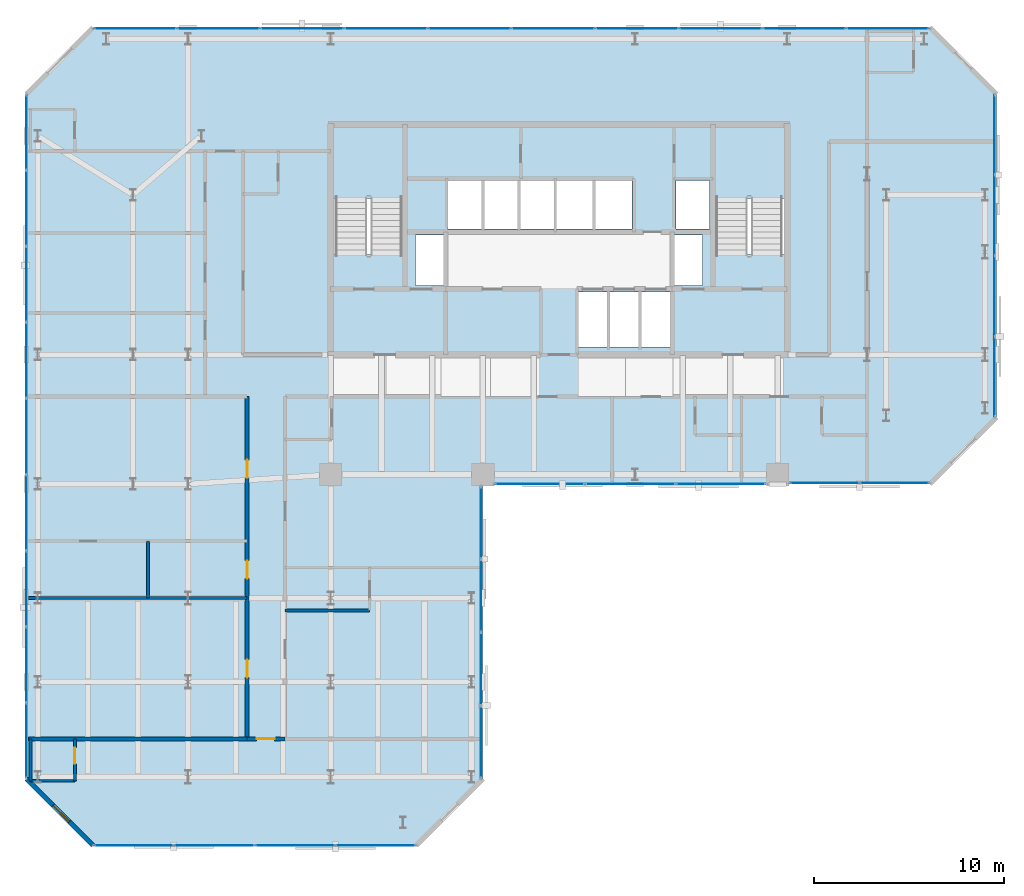
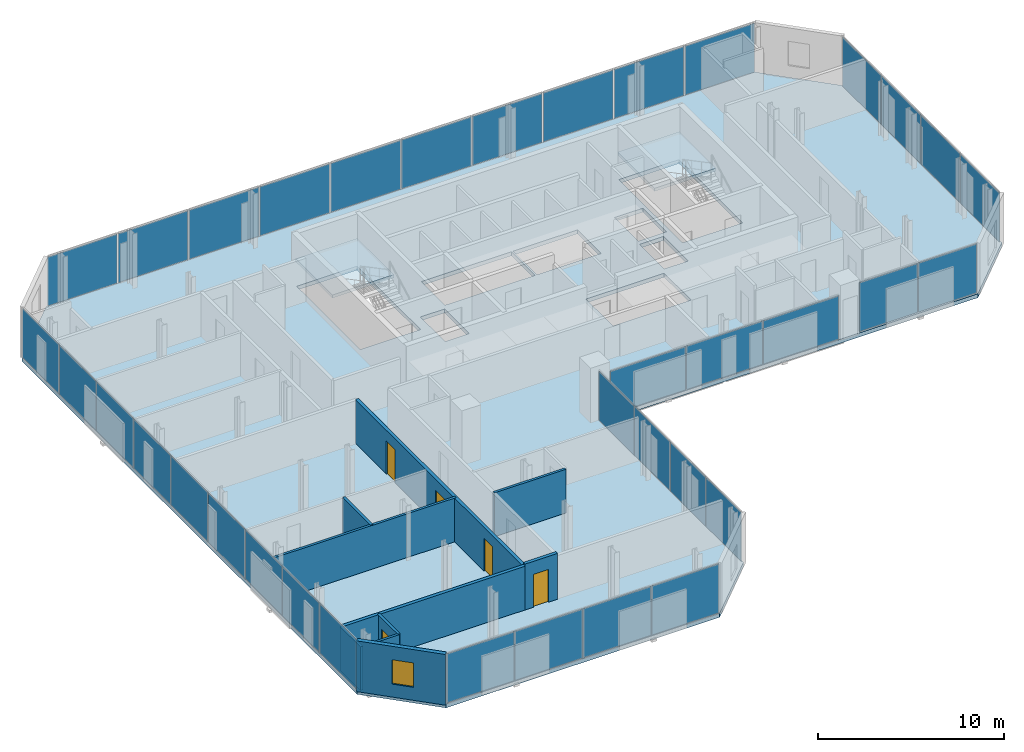
# One storey, part 27 of 33: 36 plates, 10 walls, 5 doors, 3 slabs, 1 window, 6 openings, 9 elements without a shape of their own.
"""IFC4 building model written with IfcOpenShell, lengths in metres."""

from ifc_helpers import new_model, si_unit, direction, frame, frame_2d, origin, origin_2d, place, context, subcontext, project, spatial, polyline, rectangle, outline, extrude, material, layer, layer_set, type_object, element, fill, aggregate, save


model = new_model("IFC4")

# Units and contexts
model_context = context("Model", 3, precision=1e-05, world=origin(), true_north=direction((0.0, 1.0)))
body_context = subcontext(model_context, "Body", "Model", "MODEL_VIEW")
ifc_project = project(units=[si_unit("LENGTHUNIT", "METRE"), si_unit("AREAUNIT", "SQUARE_METRE"), si_unit("VOLUMEUNIT", "CUBIC_METRE"), si_unit("PLANEANGLEUNIT", "RADIAN"), si_unit("MASSUNIT", "GRAM", prefix="KILO")], contexts=[model_context])

# Site, building, storey
site_placement = place(None, origin())
site = spatial("IfcSite", under=ifc_project, at=site_placement, CompositionType="ELEMENT")
building_placement = place(site_placement, origin())
building = spatial("IfcBuilding", under=site, at=building_placement, Name="Catumbela Crestline Tower", CompositionType="ELEMENT")
storey_placement = place(building_placement, frame((0.0, 0.0, 118.8)))
storey = spatial("IfcBuildingStorey", under=building, at=storey_placement, Name="L30", CompositionType="ELEMENT", Elevation=118.8)

# Curtain wall, plates
ifc_material_1 = material(Name="Aluminium alloy AW-6060-T66", Category="aluminium")
ifc_layer_1 = layer(ifc_material_1, 0.18, Name="Aluminium alloy AW-6060-T66")
ifc_layer_set_1 = layer_set([ifc_layer_1], Name="Aluminium alloy AW-6060-T66")
curtain_wall_type = type_object("IfcCurtainWallType", Name="CWU-Z2", PredefinedType="USERDEFINED", material=ifc_layer_set_1)
curtain_wall_1_placement = place(storey_placement, origin())
curtain_wall_1 = element("IfcCurtainWall", 1, at=curtain_wall_1_placement, inside=storey, type_object=curtain_wall_type, Name="L30 Unitised Curtain Wall CW-L30-E0S1", ObjectType="UNITISED", PredefinedType="USERDEFINED")
ifc_material_2 = material(Name="Low-E laminated solar-control double glazing", Category="glass")
ifc_layer_2 = layer(ifc_material_2, 0.036, Name="Low-E laminated solar-control double glazing")
ifc_layer_set_2 = layer_set([ifc_layer_2], Name="Low-E laminated solar-control double glazing")
plate_type = type_object("IfcPlateType", Name="PNL-GLZ-Z2", PredefinedType="CURTAIN_PANEL", material=ifc_layer_set_2)
plate_1_placement = place(storey_placement, frame((5.6412, 5.0, 0.06), z_axis=(0.0, 0.0, 1.0), x_axis=(1.0, 0.0, 0.0)))
plate_1 = element("IfcPlate", 2, at=plate_1_placement, type_object=plate_type, Name="CWU-Z2 panel 1.1", PredefinedType="CURTAIN_PANEL", context=body_context, shape_type="SweptSolid", body=[
    extrude(rectangle(XDim=4.1525, YDim=0.034, at=origin_2d()), origin(), (0.0, 0.0, 1.0), 3.21),
])
plate_2_placement = place(storey_placement, frame((9.875, 5.0, 0.06), z_axis=(0.0, 0.0, 1.0), x_axis=(1.0, 0.0, 0.0)))
plate_2 = element("IfcPlate", 3, at=plate_2_placement, type_object=plate_type, Name="CWU-Z2 panel 2.1", PredefinedType="CURTAIN_PANEL", context=body_context, shape_type="SweptSolid", body=[
    extrude(rectangle(XDim=4.185, YDim=0.034, at=origin_2d()), origin(), (0.0, 0.0, 1.0), 3.21),
])
plate_3_placement = place(storey_placement, frame((14.125, 5.0, 0.06), z_axis=(0.0, 0.0, 1.0), x_axis=(1.0, 0.0, 0.0)))
plate_3 = element("IfcPlate", 4, at=plate_3_placement, type_object=plate_type, Name="CWU-Z2 panel 3.1", PredefinedType="CURTAIN_PANEL", context=body_context, shape_type="SweptSolid", body=[
    extrude(rectangle(XDim=4.185, YDim=0.034, at=origin_2d()), origin(), (0.0, 0.0, 1.0), 3.21),
])
plate_4_placement = place(storey_placement, frame((18.3588, 5.0, 0.06), z_axis=(0.0, 0.0, 1.0), x_axis=(1.0, 0.0, 0.0)))
plate_4 = element("IfcPlate", 5, at=plate_4_placement, type_object=plate_type, Name="CWU-Z2 panel 4.1", PredefinedType="CURTAIN_PANEL", context=body_context, shape_type="SweptSolid", body=[
    extrude(rectangle(XDim=4.1525, YDim=0.034, at=origin_2d()), origin(), (0.0, 0.0, 1.0), 3.21),
])
aggregate(curtain_wall_1, [plate_1, plate_2, plate_3, plate_4])

curtain_wall_2_placement = place(storey_placement, origin())
curtain_wall_2 = element("IfcCurtainWall", 6, at=curtain_wall_2_placement, inside=storey, type_object=curtain_wall_type, Name="L30 Unitised Curtain Wall CW-L30-E2S1", ObjectType="UNITISED", PredefinedType="USERDEFINED")
plate_5_placement = place(storey_placement, frame((23.9, 10.4412, 0.06), z_axis=(0.0, 0.0, 1.0), x_axis=(0.0, 1.0, 0.0)))
plate_5 = element("IfcPlate", 7, at=plate_5_placement, type_object=plate_type, Name="CWU-Z2 panel 1.1", PredefinedType="CURTAIN_PANEL", context=body_context, shape_type="SweptSolid", body=[
    extrude(rectangle(XDim=3.7525, YDim=0.034, at=origin_2d()), origin(), (0.0, 0.0, 1.0), 3.21),
])
plate_6_placement = place(storey_placement, frame((23.9, 14.275, 0.06), z_axis=(0.0, 0.0, 1.0), x_axis=(0.0, 1.0, 0.0)))
plate_6 = element("IfcPlate", 8, at=plate_6_placement, type_object=plate_type, Name="CWU-Z2 panel 2.1", PredefinedType="CURTAIN_PANEL", context=body_context, shape_type="SweptSolid", body=[
    extrude(rectangle(XDim=3.785, YDim=0.034, at=origin_2d()), origin(), (0.0, 0.0, 1.0), 3.21),
])
plate_7_placement = place(storey_placement, frame((23.9, 18.125, 0.06), z_axis=(0.0, 0.0, 1.0), x_axis=(0.0, 1.0, 0.0)))
plate_7 = element("IfcPlate", 9, at=plate_7_placement, type_object=plate_type, Name="CWU-Z2 panel 3.1", PredefinedType="CURTAIN_PANEL", context=body_context, shape_type="SweptSolid", body=[
    extrude(rectangle(XDim=3.785, YDim=0.034, at=origin_2d()), origin(), (0.0, 0.0, 1.0), 3.21),
])
plate_8_placement = place(storey_placement, frame((23.9, 21.9587, 0.06), z_axis=(0.0, 0.0, 1.0), x_axis=(0.0, 1.0, 0.0)))
plate_8 = element("IfcPlate", 10, at=plate_8_placement, type_object=plate_type, Name="CWU-Z2 panel 4.1", PredefinedType="CURTAIN_PANEL", context=body_context, shape_type="SweptSolid", body=[
    extrude(rectangle(XDim=3.7525, YDim=0.034, at=origin_2d()), origin(), (0.0, 0.0, 1.0), 3.21),
])
aggregate(curtain_wall_2, [plate_5, plate_6, plate_7, plate_8])

curtain_wall_3_placement = place(storey_placement, origin())
curtain_wall_3 = element("IfcCurtainWall", 11, at=curtain_wall_3_placement, inside=storey, type_object=curtain_wall_type, Name="L30 Unitised Curtain Wall CW-L30-E3S1", ObjectType="UNITISED", PredefinedType="USERDEFINED")
plate_9_placement = place(storey_placement, frame((26.9996, 24.0, 0.06), z_axis=(0.0, 0.0, 1.0), x_axis=(1.0, 0.0, 0.0)))
plate_9 = element("IfcPlate", 12, at=plate_9_placement, type_object=plate_type, Name="CWU-Z2 panel 1.1", PredefinedType="CURTAIN_PANEL", context=body_context, shape_type="SweptSolid", body=[
    extrude(rectangle(XDim=4.6692, YDim=0.034, at=origin_2d()), origin(), (0.0, 0.0, 1.0), 2.84),
])
plate_10_placement = place(storey_placement, frame((31.75, 24.0, 0.06), z_axis=(0.0, 0.0, 1.0), x_axis=(1.0, 0.0, 0.0)))
plate_10 = element("IfcPlate", 13, at=plate_10_placement, type_object=plate_type, Name="CWU-Z2 panel 2.1", PredefinedType="CURTAIN_PANEL", context=body_context, shape_type="SweptSolid", body=[
    extrude(rectangle(XDim=4.7017, YDim=0.034, at=origin_2d()), origin(), (0.0, 0.0, 1.0), 2.84),
])
plate_11_placement = place(storey_placement, frame((36.5004, 24.0, 0.06), z_axis=(0.0, 0.0, 1.0), x_axis=(1.0, 0.0, 0.0)))
plate_11 = element("IfcPlate", 14, at=plate_11_placement, type_object=plate_type, Name="CWU-Z2 panel 3.1", PredefinedType="CURTAIN_PANEL", context=body_context, shape_type="SweptSolid", body=[
    extrude(rectangle(XDim=4.6692, YDim=0.034, at=origin_2d()), origin(), (0.0, 0.0, 1.0), 2.84),
])
aggregate(curtain_wall_3, [plate_9, plate_10, plate_11])

curtain_wall_4_placement = place(storey_placement, origin())
curtain_wall_4 = element("IfcCurtainWall", 15, at=curtain_wall_4_placement, inside=storey, type_object=curtain_wall_type, Name="L30 Unitised Curtain Wall CW-L30-E3S2", ObjectType="UNITISED", PredefinedType="USERDEFINED")
plate_12_placement = place(storey_placement, frame((41.9662, 24.05, 0.06), z_axis=(0.0, 0.0, 1.0), x_axis=(1.0, 0.0, 0.0)))
plate_12 = element("IfcPlate", 16, at=plate_12_placement, type_object=plate_type, Name="CWU-Z2 panel 1.1", PredefinedType="CURTAIN_PANEL", context=body_context, shape_type="SweptSolid", body=[
    extrude(rectangle(XDim=3.6025, YDim=0.034, at=origin_2d()), origin(), (0.0, 0.0, 1.0), 3.21),
])
plate_13_placement = place(storey_placement, frame((45.6338, 24.05, 0.06), z_axis=(0.0, 0.0, 1.0), x_axis=(1.0, 0.0, 0.0)))
plate_13 = element("IfcPlate", 17, at=plate_13_placement, type_object=plate_type, Name="CWU-Z2 panel 2.1", PredefinedType="CURTAIN_PANEL", context=body_context, shape_type="SweptSolid", body=[
    extrude(rectangle(XDim=3.6025, YDim=0.034, at=origin_2d()), origin(), (0.0, 0.0, 1.0), 3.21),
])
aggregate(curtain_wall_4, [plate_12, plate_13])

curtain_wall_5_placement = place(storey_placement, origin())
curtain_wall_5 = element("IfcCurtainWall", 18, at=curtain_wall_5_placement, inside=storey, type_object=curtain_wall_type, Name="L30 Unitised Curtain Wall CW-L30-E5S1", ObjectType="UNITISED", PredefinedType="USERDEFINED")
plate_14_placement = place(storey_placement, frame((50.9, 29.6412, 0.06), z_axis=(0.0, 0.0, 1.0), x_axis=(0.0, 1.0, 0.0)))
plate_14 = element("IfcPlate", 19, at=plate_14_placement, type_object=plate_type, Name="CWU-Z2 panel 1.1", PredefinedType="CURTAIN_PANEL", context=body_context, shape_type="SweptSolid", body=[
    extrude(rectangle(XDim=4.1525, YDim=0.034, at=origin_2d()), origin(), (0.0, 0.0, 1.0), 3.21),
])
plate_15_placement = place(storey_placement, frame((50.9, 33.875, 0.06), z_axis=(0.0, 0.0, 1.0), x_axis=(0.0, 1.0, 0.0)))
plate_15 = element("IfcPlate", 20, at=plate_15_placement, type_object=plate_type, Name="CWU-Z2 panel 2.1", PredefinedType="CURTAIN_PANEL", context=body_context, shape_type="SweptSolid", body=[
    extrude(rectangle(XDim=4.185, YDim=0.034, at=origin_2d()), origin(), (0.0, 0.0, 1.0), 3.21),
])
plate_16_placement = place(storey_placement, frame((50.9, 38.125, 0.06), z_axis=(0.0, 0.0, 1.0), x_axis=(0.0, 1.0, 0.0)))
plate_16 = element("IfcPlate", 21, at=plate_16_placement, type_object=plate_type, Name="CWU-Z2 panel 3.1", PredefinedType="CURTAIN_PANEL", context=body_context, shape_type="SweptSolid", body=[
    extrude(rectangle(XDim=4.185, YDim=0.034, at=origin_2d()), origin(), (0.0, 0.0, 1.0), 3.21),
])
plate_17_placement = place(storey_placement, frame((50.9, 42.3588, 0.06), z_axis=(0.0, 0.0, 1.0), x_axis=(0.0, 1.0, 0.0)))
plate_17 = element("IfcPlate", 22, at=plate_17_placement, type_object=plate_type, Name="CWU-Z2 panel 4.1", PredefinedType="CURTAIN_PANEL", context=body_context, shape_type="SweptSolid", body=[
    extrude(rectangle(XDim=4.1525, YDim=0.034, at=origin_2d()), origin(), (0.0, 0.0, 1.0), 3.21),
])
aggregate(curtain_wall_5, [plate_14, plate_15, plate_16, plate_17])

curtain_wall_6_placement = place(storey_placement, origin())
curtain_wall_6 = element("IfcCurtainWall", 23, at=curtain_wall_6_placement, inside=storey, type_object=curtain_wall_type, Name="L30 Unitised Curtain Wall CW-L30-E7S1", ObjectType="UNITISED", PredefinedType="USERDEFINED")
plate_18_placement = place(storey_placement, frame((45.2838, 47.95, 0.06), z_axis=(0.0, 0.0, 1.0), x_axis=(-1.0, 0.0, 0.0)))
plate_18 = element("IfcPlate", 24, at=plate_18_placement, type_object=plate_type, Name="CWU-Z2 panel 1.1", PredefinedType="CURTAIN_PANEL", context=body_context, shape_type="SweptSolid", body=[
    extrude(rectangle(XDim=4.3025, YDim=0.034, at=origin_2d()), origin(), (0.0, 0.0, 1.0), 3.21),
])
plate_19_placement = place(storey_placement, frame((40.9, 47.95, 0.06), z_axis=(0.0, 0.0, 1.0), x_axis=(-1.0, 0.0, 0.0)))
plate_19 = element("IfcPlate", 25, at=plate_19_placement, type_object=plate_type, Name="CWU-Z2 panel 2.1", PredefinedType="CURTAIN_PANEL", context=body_context, shape_type="SweptSolid", body=[
    extrude(rectangle(XDim=4.335, YDim=0.034, at=origin_2d()), origin(), (0.0, 0.0, 1.0), 3.21),
])
plate_20_placement = place(storey_placement, frame((36.5, 47.95, 0.06), z_axis=(0.0, 0.0, 1.0), x_axis=(-1.0, 0.0, 0.0)))
plate_20 = element("IfcPlate", 26, at=plate_20_placement, type_object=plate_type, Name="CWU-Z2 panel 3.1", PredefinedType="CURTAIN_PANEL", context=body_context, shape_type="SweptSolid", body=[
    extrude(rectangle(XDim=4.335, YDim=0.034, at=origin_2d()), origin(), (0.0, 0.0, 1.0), 3.21),
])
plate_21_placement = place(storey_placement, frame((32.1, 47.95, 0.06), z_axis=(0.0, 0.0, 1.0), x_axis=(-1.0, 0.0, 0.0)))
plate_21 = element("IfcPlate", 27, at=plate_21_placement, type_object=plate_type, Name="CWU-Z2 panel 4.1", PredefinedType="CURTAIN_PANEL", context=body_context, shape_type="SweptSolid", body=[
    extrude(rectangle(XDim=4.335, YDim=0.034, at=origin_2d()), origin(), (0.0, 0.0, 1.0), 3.21),
])
plate_22_placement = place(storey_placement, frame((27.7, 47.95, 0.06), z_axis=(0.0, 0.0, 1.0), x_axis=(-1.0, 0.0, 0.0)))
plate_22 = element("IfcPlate", 28, at=plate_22_placement, type_object=plate_type, Name="CWU-Z2 panel 5.1", PredefinedType="CURTAIN_PANEL", context=body_context, shape_type="SweptSolid", body=[
    extrude(rectangle(XDim=4.335, YDim=0.034, at=origin_2d()), origin(), (0.0, 0.0, 1.0), 3.21),
])
plate_23_placement = place(storey_placement, frame((23.3, 47.95, 0.06), z_axis=(0.0, 0.0, 1.0), x_axis=(-1.0, 0.0, 0.0)))
plate_23 = element("IfcPlate", 29, at=plate_23_placement, type_object=plate_type, Name="CWU-Z2 panel 6.1", PredefinedType="CURTAIN_PANEL", context=body_context, shape_type="SweptSolid", body=[
    extrude(rectangle(XDim=4.335, YDim=0.034, at=origin_2d()), origin(), (0.0, 0.0, 1.0), 3.21),
])
plate_24_placement = place(storey_placement, frame((18.9, 47.95, 0.06), z_axis=(0.0, 0.0, 1.0), x_axis=(-1.0, 0.0, 0.0)))
plate_24 = element("IfcPlate", 30, at=plate_24_placement, type_object=plate_type, Name="CWU-Z2 panel 7.1", PredefinedType="CURTAIN_PANEL", context=body_context, shape_type="SweptSolid", body=[
    extrude(rectangle(XDim=4.335, YDim=0.034, at=origin_2d()), origin(), (0.0, 0.0, 1.0), 3.21),
])
plate_25_placement = place(storey_placement, frame((14.5, 47.95, 0.06), z_axis=(0.0, 0.0, 1.0), x_axis=(-1.0, 0.0, 0.0)))
plate_25 = element("IfcPlate", 31, at=plate_25_placement, type_object=plate_type, Name="CWU-Z2 panel 8.1", PredefinedType="CURTAIN_PANEL", context=body_context, shape_type="SweptSolid", body=[
    extrude(rectangle(XDim=4.335, YDim=0.034, at=origin_2d()), origin(), (0.0, 0.0, 1.0), 3.21),
])
plate_26_placement = place(storey_placement, frame((10.1, 47.95, 0.06), z_axis=(0.0, 0.0, 1.0), x_axis=(-1.0, 0.0, 0.0)))
plate_26 = element("IfcPlate", 32, at=plate_26_placement, type_object=plate_type, Name="CWU-Z2 panel 9.1", PredefinedType="CURTAIN_PANEL", context=body_context, shape_type="SweptSolid", body=[
    extrude(rectangle(XDim=4.335, YDim=0.034, at=origin_2d()), origin(), (0.0, 0.0, 1.0), 3.21),
])
plate_27_placement = place(storey_placement, frame((5.7162, 47.95, 0.06), z_axis=(0.0, 0.0, 1.0), x_axis=(-1.0, 0.0, 0.0)))
plate_27 = element("IfcPlate", 33, at=plate_27_placement, type_object=plate_type, Name="CWU-Z2 panel 10.1", PredefinedType="CURTAIN_PANEL", context=body_context, shape_type="SweptSolid", body=[
    extrude(rectangle(XDim=4.3025, YDim=0.034, at=origin_2d()), origin(), (0.0, 0.0, 1.0), 3.21),
])
aggregate(curtain_wall_6, [plate_18, plate_19, plate_20, plate_21, plate_22, plate_23, plate_24, plate_25, plate_26, plate_27])

curtain_wall_7_placement = place(storey_placement, origin())
curtain_wall_7 = element("IfcCurtainWall", 34, at=curtain_wall_7_placement, inside=storey, type_object=curtain_wall_type, Name="L30 Unitised Curtain Wall CW-L30-E9S1", ObjectType="UNITISED", PredefinedType="USERDEFINED")
plate_28_placement = place(storey_placement, frame((0.0, 42.4838, 0.06), z_axis=(0.0, 0.0, 1.0), x_axis=(0.0, -1.0, 0.0)))
plate_28 = element("IfcPlate", 35, at=plate_28_placement, type_object=plate_type, Name="CWU-Z2 panel 1.1", PredefinedType="CURTAIN_PANEL", context=body_context, shape_type="SweptSolid", body=[
    extrude(rectangle(XDim=3.9025, YDim=0.034, at=origin_2d()), origin(), (0.0, 0.0, 1.0), 3.21),
])
plate_29_placement = place(storey_placement, frame((0.0, 38.5, 0.06), z_axis=(0.0, 0.0, 1.0), x_axis=(0.0, -1.0, 0.0)))
plate_29 = element("IfcPlate", 36, at=plate_29_placement, type_object=plate_type, Name="CWU-Z2 panel 2.1", PredefinedType="CURTAIN_PANEL", context=body_context, shape_type="SweptSolid", body=[
    extrude(rectangle(XDim=3.935, YDim=0.034, at=origin_2d()), origin(), (0.0, 0.0, 1.0), 3.21),
])
plate_30_placement = place(storey_placement, frame((0.0, 34.5, 0.06), z_axis=(0.0, 0.0, 1.0), x_axis=(0.0, -1.0, 0.0)))
plate_30 = element("IfcPlate", 37, at=plate_30_placement, type_object=plate_type, Name="CWU-Z2 panel 3.1", PredefinedType="CURTAIN_PANEL", context=body_context, shape_type="SweptSolid", body=[
    extrude(rectangle(XDim=3.935, YDim=0.034, at=origin_2d()), origin(), (0.0, 0.0, 1.0), 3.21),
])
plate_31_placement = place(storey_placement, frame((0.0, 30.5, 0.06), z_axis=(0.0, 0.0, 1.0), x_axis=(0.0, -1.0, 0.0)))
plate_31 = element("IfcPlate", 38, at=plate_31_placement, type_object=plate_type, Name="CWU-Z2 panel 4.1", PredefinedType="CURTAIN_PANEL", context=body_context, shape_type="SweptSolid", body=[
    extrude(rectangle(XDim=3.935, YDim=0.034, at=origin_2d()), origin(), (0.0, 0.0, 1.0), 3.21),
])
plate_32_placement = place(storey_placement, frame((0.0, 26.5, 0.06), z_axis=(0.0, 0.0, 1.0), x_axis=(0.0, -1.0, 0.0)))
plate_32 = element("IfcPlate", 39, at=plate_32_placement, type_object=plate_type, Name="CWU-Z2 panel 5.1", PredefinedType="CURTAIN_PANEL", context=body_context, shape_type="SweptSolid", body=[
    extrude(rectangle(XDim=3.935, YDim=0.034, at=origin_2d()), origin(), (0.0, 0.0, 1.0), 3.21),
])
plate_33_placement = place(storey_placement, frame((0.0, 22.5, 0.06), z_axis=(0.0, 0.0, 1.0), x_axis=(0.0, -1.0, 0.0)))
plate_33 = element("IfcPlate", 40, at=plate_33_placement, type_object=plate_type, Name="CWU-Z2 panel 6.1", PredefinedType="CURTAIN_PANEL", context=body_context, shape_type="SweptSolid", body=[
    extrude(rectangle(XDim=3.935, YDim=0.034, at=origin_2d()), origin(), (0.0, 0.0, 1.0), 3.21),
])
plate_34_placement = place(storey_placement, frame((0.0, 18.5, 0.06), z_axis=(0.0, 0.0, 1.0), x_axis=(0.0, -1.0, 0.0)))
plate_34 = element("IfcPlate", 41, at=plate_34_placement, type_object=plate_type, Name="CWU-Z2 panel 7.1", PredefinedType="CURTAIN_PANEL", context=body_context, shape_type="SweptSolid", body=[
    extrude(rectangle(XDim=3.935, YDim=0.034, at=origin_2d()), origin(), (0.0, 0.0, 1.0), 3.21),
])
plate_35_placement = place(storey_placement, frame((0.0, 14.5, 0.06), z_axis=(0.0, 0.0, 1.0), x_axis=(0.0, -1.0, 0.0)))
plate_35 = element("IfcPlate", 42, at=plate_35_placement, type_object=plate_type, Name="CWU-Z2 panel 8.1", PredefinedType="CURTAIN_PANEL", context=body_context, shape_type="SweptSolid", body=[
    extrude(rectangle(XDim=3.935, YDim=0.034, at=origin_2d()), origin(), (0.0, 0.0, 1.0), 3.21),
])
plate_36_placement = place(storey_placement, frame((0.0, 10.5162, 0.06), z_axis=(0.0, 0.0, 1.0), x_axis=(0.0, -1.0, 0.0)))
plate_36 = element("IfcPlate", 43, at=plate_36_placement, type_object=plate_type, Name="CWU-Z2 panel 9.1", PredefinedType="CURTAIN_PANEL", context=body_context, shape_type="SweptSolid", body=[
    extrude(rectangle(XDim=3.9025, YDim=0.034, at=origin_2d()), origin(), (0.0, 0.0, 1.0), 3.21),
])
aggregate(curtain_wall_7, [plate_28, plate_29, plate_30, plate_31, plate_32, plate_33, plate_34, plate_35, plate_36])

# Stair, slab
ifc_material_3 = material(Name="Concrete C45/55", Category="concrete")
stair_type = type_object("IfcStairType", Name="ST-DLG", PredefinedType="HALF_TURN_STAIR", material=ifc_material_3)
stair_1_placement = place(storey_placement, origin())
stair_1 = element("IfcStair", 44, at=stair_1_placement, inside=storey, type_object=stair_type, Name="L30 West Core Pressurised Exit Stair ST-01", PredefinedType="HALF_TURN_STAIR")
ifc_layer_3 = layer(ifc_material_3, 0.2, Name="Concrete C45/55")
ifc_layer_set_3 = layer_set([ifc_layer_3], Name="Concrete C45/55")
slab_type_1 = type_object("IfcSlabType", Name="SL-LND", PredefinedType="LANDING", material=ifc_layer_set_3)
slab_1_placement = place(storey_placement, frame((0.0, 0.0, 1.6)))
slab_1 = element("IfcSlab", 45, at=slab_1_placement, type_object=slab_type_1, Name="ST-01 landing 1", PredefinedType="LANDING", context=body_context, shape_type="SweptSolid", body=[
    extrude(outline(polyline([(19.91, 39.02), (19.91, 42.96), (16.09, 42.96), (16.09, 39.02), (19.91, 39.02)])), origin(), (0.0, 0.0, 1.0), 0.2),
])
aggregate(stair_1, [slab_1])

stair_2_placement = place(storey_placement, origin())
stair_2 = element("IfcStair", 46, at=stair_2_placement, inside=storey, type_object=stair_type, Name="L30 East Core Pressurised Exit Stair ST-02", PredefinedType="HALF_TURN_STAIR")
slab_2_placement = place(storey_placement, frame((0.0, 0.0, 1.6)))
slab_2 = element("IfcSlab", 47, at=slab_2_placement, type_object=slab_type_1, Name="ST-02 landing 1", PredefinedType="LANDING", context=body_context, shape_type="SweptSolid", body=[
    extrude(outline(polyline([(39.91, 39.02), (39.91, 42.96), (36.09, 42.96), (36.09, 39.02), (39.91, 39.02)])), origin(), (0.0, 0.0, 1.0), 0.2),
])
aggregate(stair_2, [slab_2])

# Slab
ifc_layer_4 = layer(ifc_material_3, 0.26, Name="Concrete C45/55")
ifc_layer_set_4 = layer_set([ifc_layer_4], Name="Concrete C45/55")
slab_type_2 = type_object("IfcSlabType", Name="SL-260", PredefinedType="FLOOR", material=ifc_layer_set_4)
slab_3_placement = place(storey_placement, frame((0.0, 0.0, -0.26)))
element("IfcSlab", 48, at=slab_3_placement, inside=storey, type_object=slab_type_2, Name="L30 Structural Floor Slab", PredefinedType="FLOOR", context=body_context, shape_type="SweptSolid", body=[
    extrude(outline(polyline([(3.5, 5.0), (20.5, 5.0), (24.0, 8.5), (24.0, 24.0), (47.5, 24.0), (51.0, 27.5), (51.0, 44.5), (47.5, 48.0), (3.5, 48.0), (0.0, 44.5), (0.0, 8.5), (3.5, 5.0)]), holes=[polyline([(16.13, 36.08), (19.87, 36.08), (19.87, 42.92), (16.13, 42.92), (16.13, 36.08)]), polyline([(36.13, 36.08), (39.87, 36.08), (39.87, 42.92), (36.13, 42.92), (36.13, 36.08)]), polyline([(29.0, 31.2), (33.85, 31.2), (33.85, 34.1), (29.0, 34.1), (29.0, 31.2)]), polyline([(22.15, 37.4), (27.75, 37.4), (27.75, 39.95), (22.15, 39.95), (22.15, 37.4)]), polyline([(27.85, 37.4), (31.85, 37.4), (31.85, 39.95), (27.85, 39.95), (27.85, 37.4)]), polyline([(20.45, 34.45), (21.95, 34.45), (21.95, 37.1), (20.45, 37.1), (20.45, 34.45)]), polyline([(34.05, 34.45), (35.55, 34.45), (35.55, 37.1), (34.05, 37.1), (34.05, 34.45)]), polyline([(34.15, 37.4), (35.9, 37.4), (35.9, 39.95), (34.15, 39.95), (34.15, 37.4)])]), origin(), (0.0, 0.0, 1.0), 0.26),
])

# Wall, openings, doors
ifc_material_4 = material(Name="Acoustic gypsum and mineral-wool partition")
ifc_layer_5 = layer(ifc_material_4, 0.2, Name="Acoustic gypsum and mineral-wool partition")
ifc_layer_set_5 = layer_set([ifc_layer_5], Name="Acoustic gypsum and mineral-wool partition")
wall_type_1 = type_object("IfcWallType", Name="WC-200", PredefinedType="PARTITIONING", material=ifc_layer_set_5)
wall_1_placement = place(storey_placement, frame((11.6, 10.6, 0.0), z_axis=(0.0, 0.0, 1.0), x_axis=(0.0, 1.0, 0.0)))
wall_1 = element("IfcWall", 49, at=wall_1_placement, inside=storey, type_object=wall_type_1, Name="L30 Interior Partition PW-L30-STWC-ENT", PredefinedType="PARTITIONING", context=body_context, shape_type="SweptSolid", body=[
    extrude(rectangle(XDim=18.0, YDim=0.2, at=frame_2d((9.0, 0.0))), origin(), (0.0, 0.0, 1.0), 2.87),
])
opening_1_placement = place(wall_1_placement, frame((8.425, 0.0, 0.0)))
opening_1 = element("IfcOpeningElement", 50, at=opening_1_placement, cuts=wall_1, Name="Opening DF6-095", PredefinedType="OPENING", context=body_context, shape_type="SweptSolid", body=[
    extrude(rectangle(XDim=0.95, YDim=2.15, at=frame_2d((0.475, 1.075))), frame((0.0, 0.11, 0.0), z_axis=(0.0, -1.0, 0.0), x_axis=(1.0, 0.0, 0.0)), (0.0, 0.0, 1.0), 0.22),
])
opening_2_placement = place(wall_1_placement, frame((13.725, 0.0, 0.0)))
opening_2 = element("IfcOpeningElement", 51, at=opening_2_placement, cuts=wall_1, Name="Opening DF6-095", PredefinedType="OPENING", context=body_context, shape_type="SweptSolid", body=[
    extrude(rectangle(XDim=0.95, YDim=2.15, at=frame_2d((0.475, 1.075))), frame((0.0, 0.11, 0.0), z_axis=(0.0, -1.0, 0.0), x_axis=(1.0, 0.0, 0.0)), (0.0, 0.0, 1.0), 0.22),
])
opening_3_placement = place(wall_1_placement, frame((3.225, 0.0, 0.0)))
opening_3 = element("IfcOpeningElement", 52, at=opening_3_placement, cuts=wall_1, Name="Opening DF6-095", PredefinedType="OPENING", context=body_context, shape_type="SweptSolid", body=[
    extrude(rectangle(XDim=0.95, YDim=2.15, at=frame_2d((0.475, 1.075))), frame((0.0, 0.11, 0.0), z_axis=(0.0, -1.0, 0.0), x_axis=(1.0, 0.0, 0.0)), (0.0, 0.0, 1.0), 0.22),
])
door_type_1 = type_object("IfcDoorType", Name="DF6-095", OperationType="NOTDEFINED", PredefinedType="DOOR", material=ifc_material_1)
door_1_placement = place(opening_1_placement, origin())
door_1 = element("IfcDoor", 53, at=door_1_placement, inside=storey, type_object=door_type_1, Name="L30 Interior Door DR-L30-STWC-ENT", OperationType="SINGLE_SWING_RIGHT", OverallHeight=2.15, OverallWidth=0.95, PredefinedType="DOOR", context=body_context, shape_type="SweptSolid", body=[
    extrude(rectangle(XDim=0.95, YDim=2.15, at=frame_2d((0.475, 1.075))), frame((0.0, 0.025, 0.0), z_axis=(0.0, -1.0, 0.0), x_axis=(1.0, 0.0, 0.0)), (0.0, 0.0, 1.0), 0.05),
])
fill(opening_1, door_1)
door_2_placement = place(opening_2_placement, origin())
door_2 = element("IfcDoor", 54, at=door_2_placement, inside=storey, type_object=door_type_1, Name="L30 Interior Door DR-L30-HKP-ENT", OperationType="SINGLE_SWING_RIGHT", OverallHeight=2.15, OverallWidth=0.95, PredefinedType="DOOR", context=body_context, shape_type="SweptSolid", body=[
    extrude(rectangle(XDim=0.95, YDim=2.15, at=frame_2d((0.475, 1.075))), frame((0.0, 0.025, 0.0), z_axis=(0.0, -1.0, 0.0), x_axis=(1.0, 0.0, 0.0)), (0.0, 0.0, 1.0), 0.05),
])
fill(opening_2, door_2)
door_3_placement = place(opening_3_placement, origin())
door_3 = element("IfcDoor", 55, at=door_3_placement, inside=storey, type_object=door_type_1, Name="L30 Interior Door DR-L30-WEXT-ENT", OperationType="SINGLE_SWING_LEFT", OverallHeight=2.15, OverallWidth=0.95, PredefinedType="DOOR", context=body_context, shape_type="SweptSolid", body=[
    extrude(rectangle(XDim=0.95, YDim=2.15, at=frame_2d((0.475, 1.075))), frame((0.0, 0.025, 0.0), z_axis=(0.0, -1.0, 0.0), x_axis=(1.0, 0.0, 0.0)), (0.0, 0.0, 1.0), 0.05),
])
fill(opening_3, door_3)

# Wall, opening, door
wall_2_placement = place(storey_placement, frame((11.6, 10.6, 0.0), z_axis=(0.0, 0.0, 1.0), x_axis=(1.0, 0.0, 0.0)))
wall_2 = element("IfcWall", 56, at=wall_2_placement, inside=storey, type_object=wall_type_1, Name="L30 Interior Partition PW-L30-STIP-ENT", PredefinedType="PARTITIONING", context=body_context, shape_type="SweptSolid", body=[
    extrude(rectangle(XDim=2.0, YDim=0.2, at=frame_2d((1.0, 0.0))), origin(), (0.0, 0.0, 1.0), 3.01),
])
opening_4_placement = place(wall_2_placement, frame((0.5025, 0.0, 0.0)))
opening_4 = element("IfcOpeningElement", 57, at=opening_4_placement, cuts=wall_2, Name="Opening DF6-095", PredefinedType="OPENING", context=body_context, shape_type="SweptSolid", body=[
    extrude(rectangle(XDim=0.95, YDim=2.15, at=frame_2d((0.475, 1.075))), frame((0.0, 0.11, 0.0), z_axis=(0.0, -1.0, 0.0), x_axis=(1.0, 0.0, 0.0)), (0.0, 0.0, 1.0), 0.22),
])
door_4_placement = place(opening_4_placement, origin())
door_4 = element("IfcDoor", 58, at=door_4_placement, inside=storey, type_object=door_type_1, Name="L30 Interior Door DR-L30-STIP-ENT", OperationType="SINGLE_SWING_LEFT", OverallHeight=2.15, OverallWidth=0.95, PredefinedType="DOOR", context=body_context, shape_type="SweptSolid", body=[
    extrude(rectangle(XDim=0.95, YDim=2.15, at=frame_2d((0.475, 1.075))), frame((0.0, 0.025, 0.0), z_axis=(0.0, -1.0, 0.0), x_axis=(1.0, 0.0, 0.0)), (0.0, 0.0, 1.0), 0.05),
])
fill(opening_4, door_4)

# Wall, opening, window
ifc_material_5 = material(Name="Angolan grey-ochre granite", Category="masonry")
ifc_layer_6 = layer(ifc_material_5, 0.25, Name="Angolan grey-ochre granite")
ifc_layer_set_6 = layer_set([ifc_layer_6], Name="Angolan grey-ochre granite")
wall_type_2 = type_object("IfcWallType", Name="WE-250", PredefinedType="STANDARD", material=ifc_layer_set_6)
wall_3_placement = place(storey_placement, frame((0.0, 8.5, 0.0), z_axis=(0.0, 0.0, 1.0), x_axis=(0.707106781187, -0.707106781187, 0.0)))
wall_3 = element("IfcWall", 59, at=wall_3_placement, inside=storey, type_object=wall_type_2, Name="L30 Granite Punched Window Wall 10-1", PredefinedType="STANDARD", context=body_context, shape_type="SweptSolid", body=[
    extrude(rectangle(XDim=4.9497, YDim=0.25, at=frame_2d((2.4748, 0.0))), origin(), (0.0, 0.0, 1.0), 3.33),
])
opening_5_placement = place(wall_3_placement, frame((1.9851, 0.0, 0.85)))
opening_5 = element("IfcOpeningElement", 60, at=opening_5_placement, cuts=wall_3, Name="Opening WN-02", PredefinedType="OPENING", context=body_context, shape_type="SweptSolid", body=[
    extrude(rectangle(XDim=1.2, YDim=1.6, at=frame_2d((0.6, 0.8))), frame((0.0, 0.135, 0.0), z_axis=(0.0, -1.0, 0.0), x_axis=(1.0, 0.0, 0.0)), (0.0, 0.0, 1.0), 0.27),
])
window_type = type_object("IfcWindowType", Name="WO-1200", PartitioningType="SINGLE_PANEL", PredefinedType="WINDOW", material=ifc_material_2)
window_placement = place(opening_5_placement, origin())
window = element("IfcWindow", 61, at=window_placement, inside=storey, type_object=window_type, Name="L30 Facade Vision Window 174", OverallHeight=1.6, OverallWidth=1.2, PartitioningType="SINGLE_PANEL", PredefinedType="WINDOW", context=body_context, shape_type="SweptSolid", body=[
    extrude(rectangle(XDim=1.2, YDim=1.6, at=frame_2d((0.6, 0.8))), frame((0.0, 0.03, 0.0), z_axis=(0.0, -1.0, 0.0), x_axis=(1.0, 0.0, 0.0)), (0.0, 0.0, 1.0), 0.06),
])
fill(opening_5, window)

# Walls
ifc_layer_7 = layer(ifc_material_4, 0.15, Name="Acoustic gypsum and mineral-wool partition")
ifc_layer_set_7 = layer_set([ifc_layer_7], Name="Acoustic gypsum and mineral-wool partition")
wall_type_3 = type_object("IfcWallType", Name="WP-150", PredefinedType="PARTITIONING", material=ifc_layer_set_7)
wall_4_placement = place(storey_placement, frame((0.1, 18.0, 0.0), z_axis=(0.0, 0.0, 1.0), x_axis=(1.0, 0.0, 0.0)))
element("IfcWall", 62, at=wall_4_placement, inside=storey, type_object=wall_type_3, Name="L30 Interior Partition PW-L30-Z2W-1", PredefinedType="PARTITIONING", context=body_context, shape_type="SweptSolid", body=[
    extrude(rectangle(XDim=11.5, YDim=0.15, at=frame_2d((5.75, 0.0))), origin(), (0.0, 0.0, 1.0), 2.87),
])
wall_5_placement = place(storey_placement, frame((6.4, 18.0, 0.0), z_axis=(0.0, 0.0, 1.0), x_axis=(0.0, 1.0, 0.0)))
element("IfcWall", 63, at=wall_5_placement, inside=storey, type_object=wall_type_3, Name="L30 Interior Partition PW-L30-Z2W-WCX", PredefinedType="PARTITIONING", context=body_context, shape_type="SweptSolid", body=[
    extrude(rectangle(XDim=3.0, YDim=0.15, at=frame_2d((1.5, 0.0))), origin(), (0.0, 0.0, 1.0), 2.87),
])
wall_6_placement = place(storey_placement, frame((0.2, 8.4, 0.0), z_axis=(0.0, 0.0, 1.0), x_axis=(1.0, 0.0, 0.0)))
element("IfcWall", 64, at=wall_6_placement, inside=storey, type_object=wall_type_3, Name="L30 Interior Partition PW-L30-STIP-BHW", PredefinedType="PARTITIONING", context=body_context, shape_type="SweptSolid", body=[
    extrude(rectangle(XDim=2.35, YDim=0.15, at=frame_2d((1.175, 0.0))), origin(), (0.0, 0.0, 1.0), 2.87),
])

# Wall, opening, door
wall_7_placement = place(storey_placement, frame((2.55, 8.4, 0.0), z_axis=(0.0, 0.0, 1.0), x_axis=(0.0, 1.0, 0.0)))
wall_7 = element("IfcWall", 65, at=wall_7_placement, inside=storey, type_object=wall_type_3, Name="L30 Interior Partition PW-L30-STIP-BEW", PredefinedType="PARTITIONING", context=body_context, shape_type="SweptSolid", body=[
    extrude(rectangle(XDim=2.2, YDim=0.15, at=frame_2d((1.1, 0.0))), origin(), (0.0, 0.0, 1.0), 2.87),
])
opening_6_placement = place(wall_7_placement, frame((0.8925, 0.0, 0.0)))
opening_6 = element("IfcOpeningElement", 66, at=opening_6_placement, cuts=wall_7, Name="Opening DI-085", PredefinedType="OPENING", context=body_context, shape_type="SweptSolid", body=[
    extrude(rectangle(XDim=0.85, YDim=2.15, at=frame_2d((0.425, 1.075))), frame((0.0, 0.085, 0.0), z_axis=(0.0, -1.0, 0.0), x_axis=(1.0, 0.0, 0.0)), (0.0, 0.0, 1.0), 0.17),
])
door_type_2 = type_object("IfcDoorType", Name="DI-085", OperationType="NOTDEFINED", PredefinedType="DOOR", material=ifc_material_1)
door_5_placement = place(opening_6_placement, origin())
door_5 = element("IfcDoor", 67, at=door_5_placement, inside=storey, type_object=door_type_2, Name="L30 Interior Door DR-L30-STIP-BTH", OperationType="SINGLE_SWING_LEFT", OverallHeight=2.15, OverallWidth=0.85, PredefinedType="DOOR", context=body_context, shape_type="SweptSolid", body=[
    extrude(rectangle(XDim=0.85, YDim=2.15, at=frame_2d((0.425, 1.075))), frame((0.0, 0.025, 0.0), z_axis=(0.0, -1.0, 0.0), x_axis=(1.0, 0.0, 0.0)), (0.0, 0.0, 1.0), 0.05),
])
fill(opening_6, door_5)

# Walls
wall_8_placement = place(storey_placement, frame((0.22, 8.38, 0.0), z_axis=(0.0, 0.0, 1.0), x_axis=(0.0, 1.0, 0.0)))
element("IfcWall", 68, at=wall_8_placement, inside=storey, type_object=wall_type_3, Name="L30 Interior Partition PW-L30-STIP-BCL-3", PredefinedType="PARTITIONING", context=body_context, shape_type="SweptSolid", body=[
    extrude(rectangle(XDim=2.22, YDim=0.15, at=frame_2d((1.11, 0.0))), origin(), (0.0, 0.0, 1.0), 2.87),
])
wall_9_placement = place(storey_placement, frame((13.6, 17.35, 0.0), z_axis=(0.0, 0.0, 1.0), x_axis=(1.0, 0.0, 0.0)))
element("IfcWall", 69, at=wall_9_placement, inside=storey, type_object=wall_type_3, Name="L30 Interior Partition PW-L30-SW1-BSW", PredefinedType="PARTITIONING", context=body_context, shape_type="SweptSolid", body=[
    extrude(rectangle(XDim=4.45, YDim=0.15, at=frame_2d((2.225, 0.0))), origin(), (0.0, 0.0, 1.0), 2.87),
])
ifc_layer_8 = layer(ifc_material_4, 0.2, Name="Acoustic gypsum and mineral-wool partition")
ifc_layer_set_8 = layer_set([ifc_layer_8], Name="Acoustic gypsum and mineral-wool partition")
wall_type_4 = type_object("IfcWallType", Name="WY-200", PredefinedType="PARTITIONING", material=ifc_layer_set_8)
wall_10_placement = place(storey_placement, frame((0.1, 10.6, 0.0), z_axis=(0.0, 0.0, 1.0), x_axis=(1.0, 0.0, 0.0)))
element("IfcWall", 70, at=wall_10_placement, inside=storey, type_object=wall_type_4, Name="L30 Interior Partition PW-L30-STIP-WL", PredefinedType="PARTITIONING", context=body_context, shape_type="SweptSolid", body=[
    extrude(rectangle(XDim=11.5, YDim=0.2, at=frame_2d((5.75, 0.0))), origin(), (0.0, 0.0, 1.0), 2.87),
])

save(model, "model.ifc")
